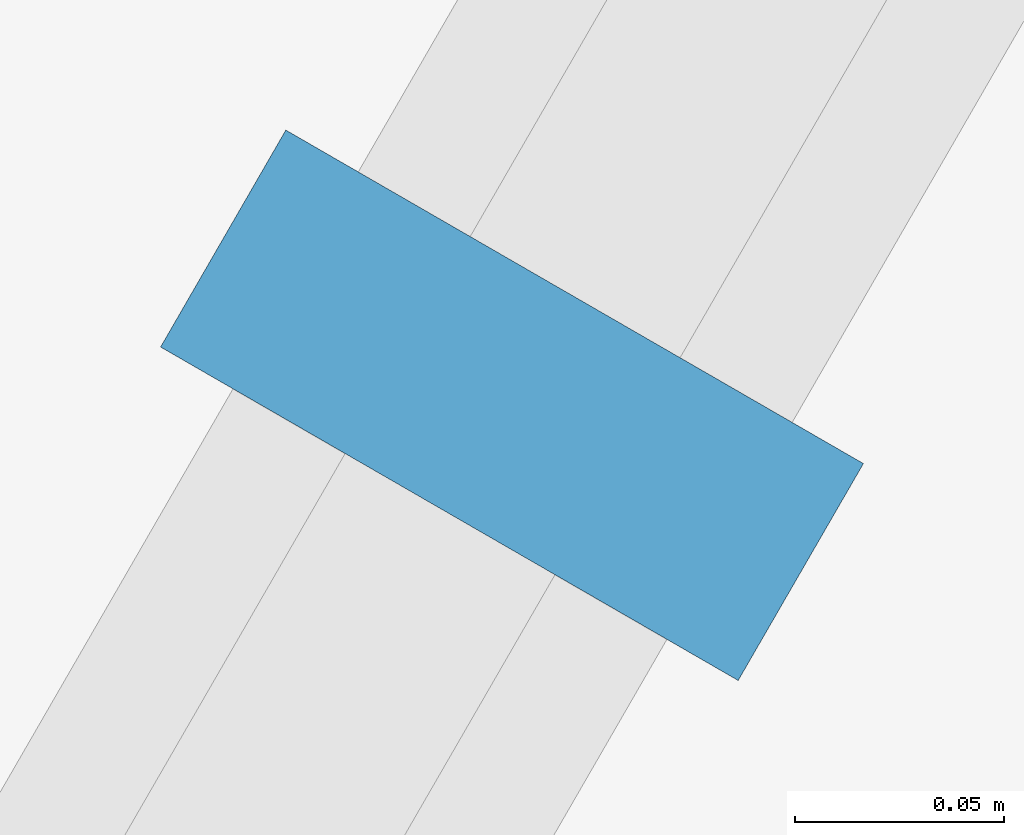
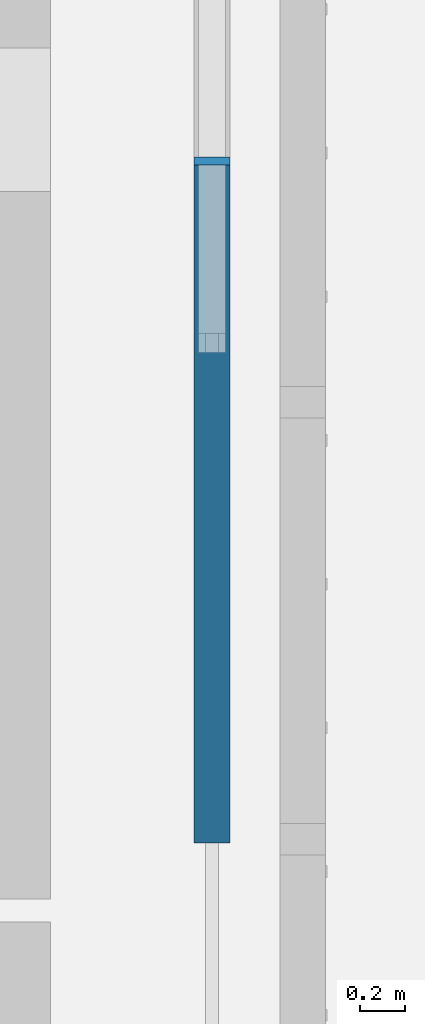
# One storey, part 41 of 127: 1 member, 1 element without a shape of its own.
"""IFC4 building model written with IfcOpenShell, lengths in metres."""

from ifc_helpers import new_model, si_unit, direction, frame, origin, origin_2d, place, context, subcontext, project, spatial, rectangle, extrude, material, material_profile, profile_set, type_object, element, aggregate, save


model = new_model("IFC4")

# Units and contexts
model_context = context("Model", 3, precision=1e-05, world=origin(), true_north=direction((0.0, 1.0)))
body_context = subcontext(model_context, "Body", "Model", "MODEL_VIEW")
ifc_project = project(units=[si_unit("LENGTHUNIT", "METRE"), si_unit("AREAUNIT", "SQUARE_METRE"), si_unit("VOLUMEUNIT", "CUBIC_METRE"), si_unit("PLANEANGLEUNIT", "RADIAN"), si_unit("MASSUNIT", "GRAM", prefix="KILO")], contexts=[model_context])

# Site, building, storey
site_placement = place(None, origin())
site = spatial("IfcSite", under=ifc_project, at=site_placement, CompositionType="ELEMENT")
building_placement = place(site_placement, origin())
building = spatial("IfcBuilding", under=site, at=building_placement, Name="Sandreach Pilgrim Tower", CompositionType="ELEMENT")
storey_placement = place(building_placement, frame((0.0, 0.0, 257.0)))
storey = spatial("IfcBuildingStorey", under=building, at=storey_placement, Name="L64", CompositionType="ELEMENT", Elevation=257.0)

# Curtain wall, member
ifc_material_1 = material(Name="Aluminium framed curtain wall", Category="aluminium")
curtain_wall_type = type_object("IfcCurtainWallType", Name="Suite tower curtain wall", PredefinedType="NOTDEFINED", material=ifc_material_1)
curtain_wall_placement = place(storey_placement, origin())
curtain_wall = element("IfcCurtainWall", 1, at=curtain_wall_placement, inside=storey, type_object=curtain_wall_type, Name="CW-4 L64 SE", PredefinedType="NOTDEFINED")
ifc_material_2 = material(Name="Aluminium extrusion", Category="aluminium")
ifc_material_profile = material_profile(ifc_material_2, rectangle(XDim=0.06005859375, YDim=0.159912109375, at=origin_2d()), Name="CW-4M 60X160")
ifc_profile_set = profile_set([ifc_material_profile], Name="Aluminium extrusion")
member_type = type_object("IfcMemberType", Name="CW-4 mullion", PredefinedType="MULLION", material=ifc_profile_set)
member_placement = place(storey_placement, frame((16.2646484375, -11.4814453125, 0.0), z_axis=(0.0, 0.0, 1.0), x_axis=(-0.5, -0.866025403784, 0.0)))
member = element("IfcMember", 2, at=member_placement, type_object=member_type, Name="CW-4 mullion 6", PredefinedType="MULLION", context=body_context, shape_type="SweptSolid", body=[
    extrude(rectangle(XDim=0.06005859375, YDim=0.159912109375, at=origin_2d()), origin(), (0.0, 0.0, 1.0), 3.639892578125),
])
aggregate(curtain_wall, [member])

save(model, "model.ifc")
